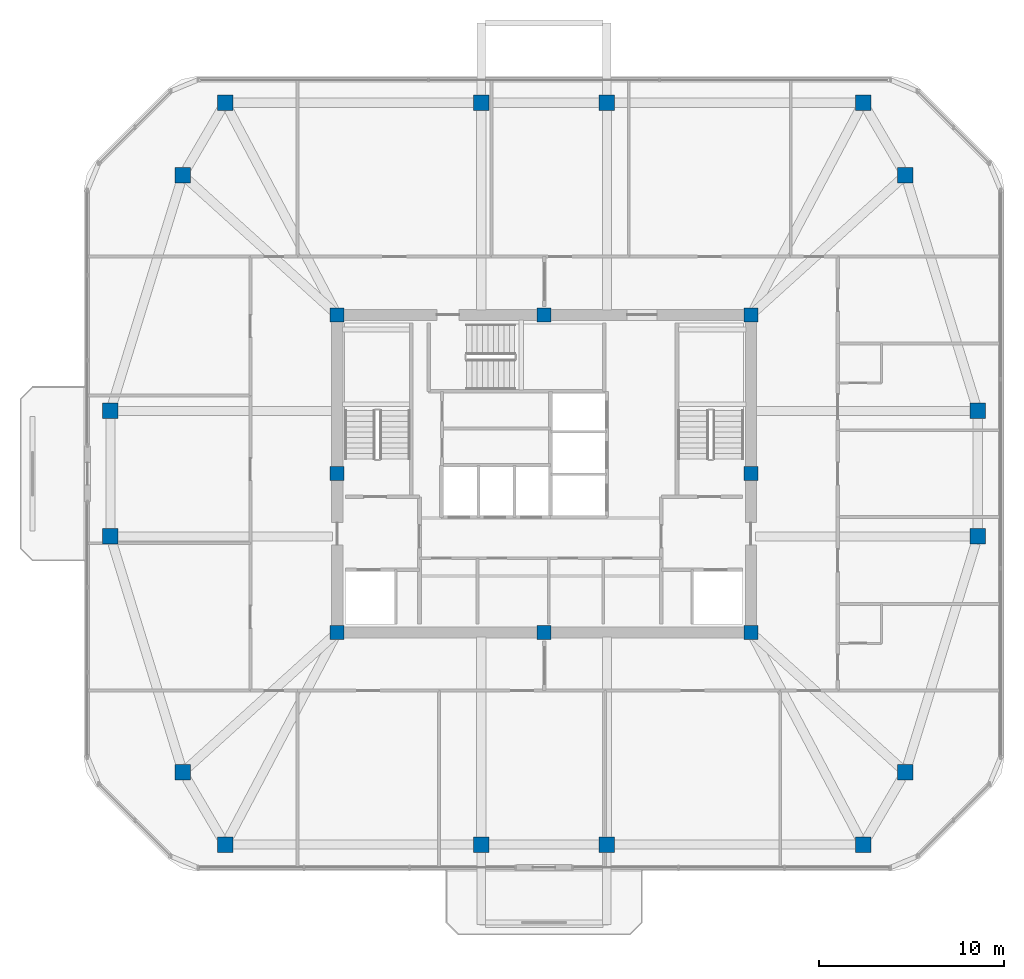
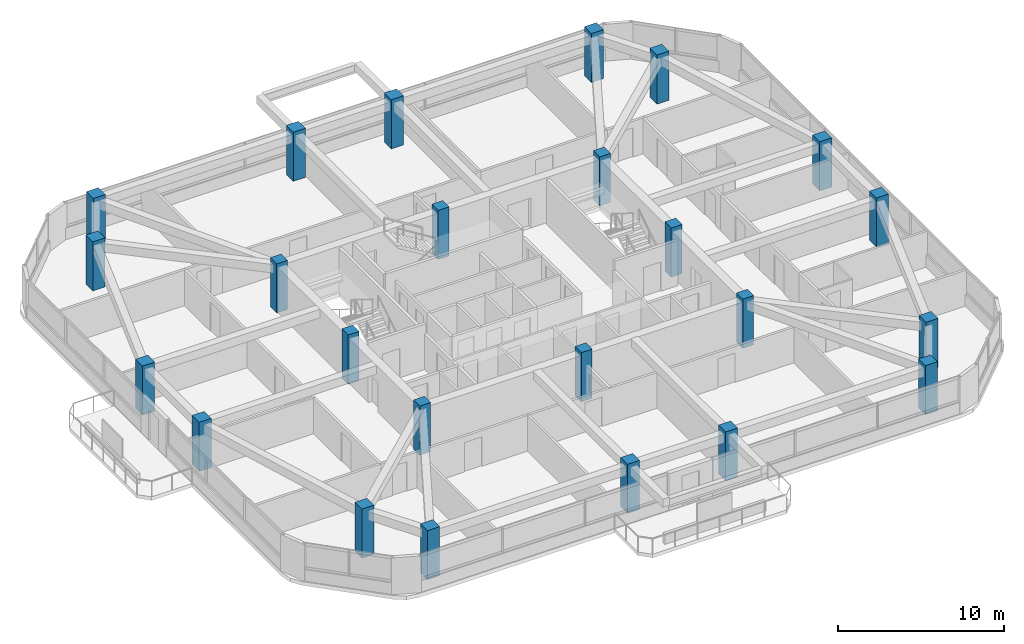
# One storey, part 1 of 13: 24 columns.
"""IFC4 building model written with IfcOpenShell, lengths in metres."""

import ifcopenshell
import ifcopenshell.guid

model = None  # the IFC model being written
_history = None  # IfcOwnerHistory: only IFC2X3 demands one
_inside = {}  # id of a spatial element -> (the spatial element, [elements in it])
_under = {}  # id of a project, library or spatial element -> (it, [spatial elements below it])
_declared = {}  # id of a project -> (the project, [libraries it declares])
_typed = {}  # id of a type object -> (the type object, [elements of that type])
_made_of = {}  # id of a material, layer set ... -> (it, [elements and type objects made of it])


def new_model(schema):
    """Start an empty IFC model of exactly this schema.

    Asked for "IFC4X3", IfcOpenShell would pick the latest addendum, in which some entities
    have other attributes; the version numbers below select the first issue.
    IFC2X3 requires an IfcOwnerHistory on every rooted entity: one is made here for all.
    """
    global model, _history
    if schema == "IFC4X3":
        model = ifcopenshell.file(schema_version=(4, 3, 0, 0))
    else:
        model = ifcopenshell.file(schema=schema)
    _inside.clear()
    _under.clear()
    _declared.clear()
    _typed.clear()
    _made_of.clear()
    _history = None
    if model.schema == "IFC2X3":
        org = make("IfcOrganization", Name="unknown")
        user = make(
            "IfcPersonAndOrganization",
            ThePerson=make("IfcPerson", FamilyName="unknown"),
            TheOrganization=org,
        )
        app = make(
            "IfcApplication",
            ApplicationDeveloper=org,
            Version="unknown",
            ApplicationFullName="unknown",
            ApplicationIdentifier="unknown",
        )
        _history = make(
            "IfcOwnerHistory",
            OwningUser=user,
            OwningApplication=app,
            ChangeAction="ADDED",
            CreationDate=0,
        )
    return model


def make(cls, **values):
    """One entity of the class cls with the attributes given. An attribute that is None is left unset."""
    return model.create_entity(
        cls, **{name: value for name, value in values.items() if value is not None}
    )


def rooted(cls, **values):
    """An entity with a GlobalId (a new one), such as an element, a storey or a relation."""
    return make(cls, GlobalId=ifcopenshell.guid.new(), OwnerHistory=_history, **values)


def si_unit(unit_type, name, prefix=None):
    """IfcSIUnit, for example si_unit("LENGTHUNIT", "METRE", prefix="MILLI")."""
    return make("IfcSIUnit", UnitType=unit_type, Prefix=prefix, Name=name)


def derived_unit(unit_type, elements):
    """IfcDerivedUnit: a product of units, each with its exponent."""
    return make(
        "IfcDerivedUnit",
        Elements=[
            make("IfcDerivedUnitElement", Unit=unit, Exponent=power)
            for unit, power in elements
        ],
        UnitType=unit_type,
    )


def assignment(units):
    """IfcUnitAssignment: the units of a project."""
    return None if units is None else make("IfcUnitAssignment", Units=units)


def point(xyz):
    """IfcCartesianPoint."""
    return None if xyz is None else make("IfcCartesianPoint", Coordinates=xyz)


def direction(xyz):
    """IfcDirection."""
    return None if xyz is None else make("IfcDirection", DirectionRatios=xyz)


def frame(location, z_axis=None, x_axis=None):
    """IfcAxis2Placement3D, a coordinate frame: its origin and axes. An axis left out is left unset."""
    return make(
        "IfcAxis2Placement3D",
        Location=point(location),
        Axis=direction(z_axis),
        RefDirection=direction(x_axis),
    )


def frame_2d(location, x_axis=None):
    """IfcAxis2Placement2D, a coordinate frame in the plane: its origin and x axis."""
    return make(
        "IfcAxis2Placement2D", Location=point(location), RefDirection=direction(x_axis)
    )


def origin():
    """The frame at (0, 0, 0) with its axes left unset."""
    return frame((0.0, 0.0, 0.0))


def origin_2d():
    """The frame at (0, 0) in the plane with its x axis left unset."""
    return frame_2d((0.0, 0.0))


def place(relative_to, where):
    """IfcLocalPlacement: puts the frame where relative to a parent placement (None: the world)."""
    return make(
        "IfcLocalPlacement", PlacementRelTo=relative_to, RelativePlacement=where
    )


def context(
    kind, dimensions, precision=None, world=None, true_north=None, identifier=None
):
    """IfcGeometricRepresentationContext, for example the 3D "Model" context."""
    return make(
        "IfcGeometricRepresentationContext",
        ContextIdentifier=identifier,
        ContextType=kind,
        CoordinateSpaceDimension=dimensions,
        Precision=precision,
        WorldCoordinateSystem=world,
        TrueNorth=true_north,
    )


def subcontext(parent, identifier, kind, view, scale=None):
    """IfcGeometricRepresentationSubContext, for example "Body" below "Model"."""
    return make(
        "IfcGeometricRepresentationSubContext",
        ContextIdentifier=identifier,
        ContextType=kind,
        ParentContext=parent,
        TargetScale=scale,
        TargetView=view,
    )


def project(units=None, contexts=None):
    """IfcProject with its units and contexts."""
    return rooted(
        "IfcProject",
        Name="project",
        RepresentationContexts=contexts,
        UnitsInContext=assignment(units),
    )


def spatial(cls, under=None, at=None, **own):
    """A site, building, storey or space (cls), placed at a placement, below another one or the project."""
    s = rooted(cls, ObjectPlacement=at, **own)
    if under is not None:
        _under.setdefault(under.id(), (under, []))[1].append(s)
    return s


def profile(cls, at=None, kind="AREA", **sizes):
    """A parametric profile (cls). Its sizes go by their IFC names, for example OverallWidth=200.0."""
    return make(cls, ProfileType=kind, Position=at, **sizes)


def rectangle(**sizes):
    """IfcRectangleProfileDef."""
    return profile("IfcRectangleProfileDef", **sizes)


def extrude(swept, where, along, depth):
    """IfcExtrudedAreaSolid: the profile swept, set in the frame where, extruded along a direction by depth."""
    return make(
        "IfcExtrudedAreaSolid",
        SweptArea=swept,
        Position=where,
        ExtrudedDirection=direction(along),
        Depth=depth,
    )


def shape(context_of_items, identifier, shape_type, items):
    """IfcShapeRepresentation: the items that make up one representation, for example the "Body"."""
    return make(
        "IfcShapeRepresentation",
        ContextOfItems=context_of_items,
        RepresentationIdentifier=identifier,
        RepresentationType=shape_type,
        Items=items,
    )


def material(Name=None, Category=None):
    """IfcMaterial."""
    return make("IfcMaterial", Name=Name, Category=Category)


def material_profile(
    of_material, cross_section, Name=None, Category=None, Priority=None
):
    """IfcMaterialProfile: a cross section and its material."""
    return make(
        "IfcMaterialProfile",
        Name=Name,
        Material=of_material,
        Profile=cross_section,
        Priority=Priority,
        Category=Category,
    )


def profile_set(profiles, Name=None, composite=None):
    """IfcMaterialProfileSet."""
    return make(
        "IfcMaterialProfileSet",
        Name=Name,
        MaterialProfiles=profiles,
        CompositeProfile=composite,
    )


def made_of(thing, what):
    """Note that an element or type object is made of a material, layer set ...; save() writes the relation."""
    if what is not None:
        _made_of.setdefault(what.id(), (what, []))[1].append(thing)
    return thing


def type_object(cls, material=None, **own):
    """A type object (cls), such as IfcWallType, which elements share."""
    return made_of(rooted(cls, **own), material)


def element(
    cls,
    number,
    at=None,
    inside=None,
    cuts=None,
    type_object=None,
    material=None,
    context=None,
    identifier="Body",
    shape_type=None,
    held_by="IfcProductDefinitionShape",
    body=None,
    shapes=None,
    **own,
):
    """One element of the class cls, such as IfcWall. Its Tag is "e" and its number.

    at: its placement. inside: the storey or other place that contains it. cuts: it is an
    opening in that element (IfcRelVoidsElement). A single representation is given by context,
    identifier, shape_type and body (its items); several are given by shapes. held_by: the class
    of the entity that holds the representations. save() writes the other relations.
    """
    e = rooted(cls, Tag="e%d" % number, ObjectPlacement=at, **own)
    if body is not None:
        shapes = [shape(context, identifier, shape_type, body)]
    if shapes is not None:
        e.Representation = make(held_by, Representations=shapes)
    if inside is not None:
        _inside.setdefault(inside.id(), (inside, []))[1].append(e)
    if cuts is not None:
        rooted(
            "IfcRelVoidsElement", RelatingBuildingElement=cuts, RelatedOpeningElement=e
        )
    if type_object is not None:
        _typed.setdefault(type_object.id(), (type_object, []))[1].append(e)
    return made_of(e, material)


def aggregate(whole, parts):
    """IfcRelAggregates: a whole, such as a stair, and the parts it consists of."""
    return rooted("IfcRelAggregates", RelatingObject=whole, RelatedObjects=parts)


def save(model, path):
    """Write the relations noted so far, then the file.

    IfcRelAggregates (storeys below a building ...), IfcRelContainedInSpatialStructure (elements
    in a storey), IfcRelDefinesByType, IfcRelAssociatesMaterial and IfcRelDeclares: one each for
    every whole, place, type object, material and project.
    """
    for whole, parts in _under.values():
        aggregate(whole, parts)
    for where, things in _inside.values():
        rooted(
            "IfcRelContainedInSpatialStructure",
            RelatedElements=things,
            RelatingStructure=where,
        )
    for kind, things in _typed.values():
        rooted("IfcRelDefinesByType", RelatedObjects=things, RelatingType=kind)
    for what, things in _made_of.values():
        rooted("IfcRelAssociatesMaterial", RelatedObjects=things, RelatingMaterial=what)
    for by, libraries in _declared.values():
        rooted("IfcRelDeclares", RelatingContext=by, RelatedDefinitions=libraries)
    model.write(path)


model = new_model("IFC4")

# Units and contexts
model_context = context("Model", 3, precision=1e-05, world=origin(), true_north=direction((0.0, 1.0)))
body_context = subcontext(model_context, "Body", "Model", "MODEL_VIEW")
ifc_project = project(units=[si_unit("LENGTHUNIT", "METRE"), si_unit("AREAUNIT", "SQUARE_METRE"), si_unit("VOLUMEUNIT", "CUBIC_METRE"), si_unit("PLANEANGLEUNIT", "RADIAN"), si_unit("MASSUNIT", "GRAM", prefix="KILO"), derived_unit("THERMALTRANSMITTANCEUNIT", [(si_unit("POWERUNIT", "WATT"), 1), (si_unit("LENGTHUNIT", "METRE"), -2), (si_unit("THERMODYNAMICTEMPERATUREUNIT", "KELVIN"), -1)])], contexts=[model_context])

# Site, building, storey
site_placement = place(None, origin())
site = spatial("IfcSite", under=ifc_project, at=site_placement, CompositionType="ELEMENT")
building_placement = place(site_placement, origin())
building = spatial("IfcBuilding", under=site, at=building_placement, Name="Koralith Skygarden Medical Center", CompositionType="ELEMENT")
storey_placement = place(building_placement, frame((0.0, 0.0, 264.419921875)))
storey = spatial("IfcBuildingStorey", under=building, at=storey_placement, Name="L68", CompositionType="ELEMENT", Elevation=264.419921875)

# Columns
ifc_material = material(Name="Concrete C55/67", Category="concrete")
ifc_material_profile_1 = material_profile(ifc_material, rectangle(XDim=0.760009765625, YDim=0.760009765625, at=origin_2d()), Name="RC760X760")
ifc_profile_set_1 = profile_set([ifc_material_profile_1], Name="Concrete C55/67")
column_type_1 = type_object("IfcColumnType", Name="Core Crown Column C55 RC760", PredefinedType="COLUMN", material=ifc_profile_set_1)
for number, where, z_axis, x_axis, name in (
    (1, (25.800048828125, 17.300048828125, 0.0), (0.0, 0.0, 1.0), (1.0, 0.0, 0.0), "L68 Core Column CC-01"),
    (2, (37.0, 17.300048828125, 0.0), (0.0, 0.0, 1.0), (1.0, 0.0, 0.0), "L68 Core Column CC-02"),
    (3, (48.199951171875, 17.300048828125, 0.0), (0.0, 0.0, 1.0), (1.0, 0.0, 0.0), "L68 Core Column CC-03"),
    (4, (48.199951171875, 25.89990234375, 0.0), (0.0, 0.0, 1.0), (1.0, 0.0, 0.0), "L68 Core Column CC-04"),
    (5, (48.199951171875, 34.5, 0.0), (0.0, 0.0, 1.0), (1.0, 0.0, 0.0), "L68 Core Column CC-05"),
    (6, (37.0, 34.5, 0.0), (0.0, 0.0, 1.0), (1.0, 0.0, 0.0), "L68 Core Column CC-06"),
    (7, (25.800048828125, 34.5, 0.0), (0.0, 0.0, 1.0), (1.0, 0.0, 0.0), "L68 Core Column CC-07"),
    (8, (25.800048828125, 25.89990234375, 0.0), (0.0, 0.0, 1.0), (1.0, 0.0, 0.0), "L68 Core Column CC-08"),
):
    element("IfcColumn", number, at=place(storey_placement, frame(where, z_axis=z_axis, x_axis=x_axis)), inside=storey, type_object=column_type_1, Name=name, PredefinedType="COLUMN", context=body_context, shape_type="SweptSolid", body=[
        extrude(rectangle(XDim=0.760009765625, YDim=0.760009765625, at=origin_2d()), origin(), (0.0, 0.0, 1.0), 3.60009765625),
    ])
ifc_material_profile_2 = material_profile(ifc_material, rectangle(XDim=0.840087890625, YDim=0.840087890625, at=origin_2d()), Name="RC840X840")
ifc_profile_set_2 = profile_set([ifc_material_profile_2], Name="Concrete C55/67")
column_type_2 = type_object("IfcColumnType", Name="Zone 5 Upper Mega-Column C55 RC840", PredefinedType="COLUMN", material=ifc_profile_set_2)
for number, where, z_axis, x_axis, name in (
    (9, (13.52001953125, 22.5, 0.0), (0.0, 0.0, 1.0), (1.0, 0.0, 0.0), "L68 Perimeter Mega-Column MC-01"),
    (10, (17.43994140625, 9.739990234375, 0.0), (0.0, 0.0, 1.0), (1.0, 0.0, 0.0), "L68 Perimeter Mega-Column MC-02"),
    (11, (19.73193359375, 5.820068359375, 0.0), (0.0, 0.0, 1.0), (1.0, 0.0, 0.0), "L68 Perimeter Mega-Column MC-03"),
    (12, (33.60009765625, 5.820068359375, 0.0), (0.0, 0.0, 1.0), (1.0, 0.0, 0.0), "L68 Perimeter Mega-Column MC-04"),
    (13, (40.39990234375, 5.820068359375, 0.0), (0.0, 0.0, 1.0), (1.0, 0.0, 0.0), "L68 Perimeter Mega-Column MC-05"),
    (14, (54.26806640625, 5.820068359375, 0.0), (0.0, 0.0, 1.0), (1.0, 0.0, 0.0), "L68 Perimeter Mega-Column MC-06"),
    (15, (56.56005859375, 9.739990234375, 0.0), (0.0, 0.0, 1.0), (1.0, 0.0, 0.0), "L68 Perimeter Mega-Column MC-07"),
    (16, (60.47998046875, 22.5, 0.0), (0.0, 0.0, 1.0), (1.0, 0.0, 0.0), "L68 Perimeter Mega-Column MC-08"),
    (17, (60.47998046875, 29.300048828125, 0.0), (0.0, 0.0, 1.0), (1.0, 0.0, 0.0), "L68 Perimeter Mega-Column MC-09"),
    (18, (56.56005859375, 42.06005859375, 0.0), (0.0, 0.0, 1.0), (1.0, 0.0, 0.0), "L68 Perimeter Mega-Column MC-10"),
    (19, (54.26806640625, 45.97998046875, 0.0), (0.0, 0.0, 1.0), (1.0, 0.0, 0.0), "L68 Perimeter Mega-Column MC-11"),
    (20, (40.39990234375, 45.97998046875, 0.0), (0.0, 0.0, 1.0), (1.0, 0.0, 0.0), "L68 Perimeter Mega-Column MC-12"),
    (21, (33.60009765625, 45.97998046875, 0.0), (0.0, 0.0, 1.0), (1.0, 0.0, 0.0), "L68 Perimeter Mega-Column MC-13"),
    (22, (19.73193359375, 45.97998046875, 0.0), (0.0, 0.0, 1.0), (1.0, 0.0, 0.0), "L68 Perimeter Mega-Column MC-14"),
    (23, (17.43994140625, 42.06005859375, 0.0), (0.0, 0.0, 1.0), (1.0, 0.0, 0.0), "L68 Perimeter Mega-Column MC-15"),
    (24, (13.52001953125, 29.300048828125, 0.0), (0.0, 0.0, 1.0), (1.0, 0.0, 0.0), "L68 Perimeter Mega-Column MC-16"),
):
    element("IfcColumn", number, at=place(storey_placement, frame(where, z_axis=z_axis, x_axis=x_axis)), inside=storey, type_object=column_type_2, Name=name, PredefinedType="COLUMN", context=body_context, shape_type="SweptSolid", body=[
        extrude(rectangle(XDim=0.840087890625, YDim=0.840087890625, at=origin_2d()), origin(), (0.0, 0.0, 1.0), 3.60009765625),
    ])

save(model, "model.ifc")
